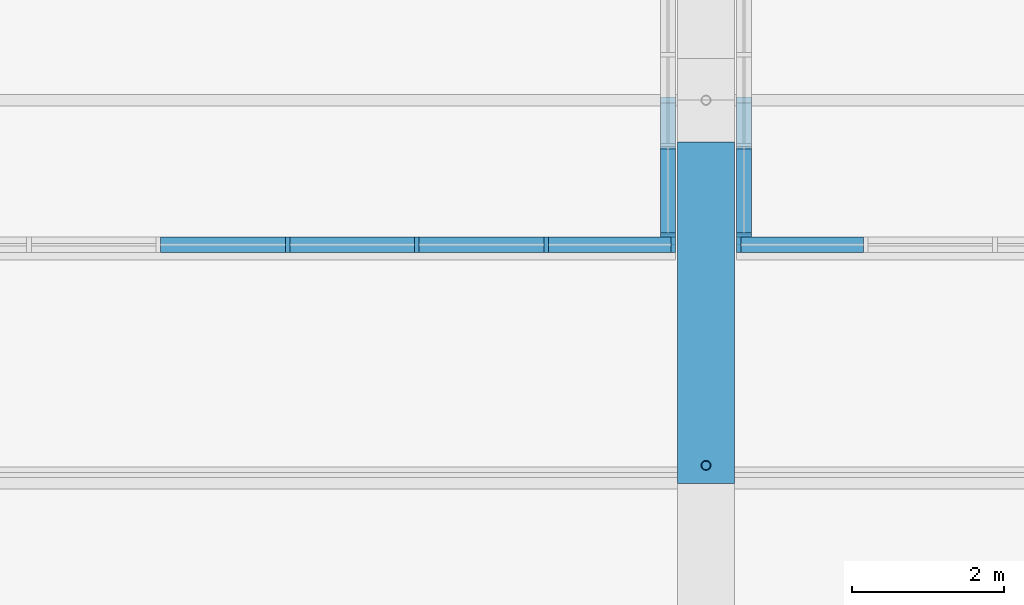
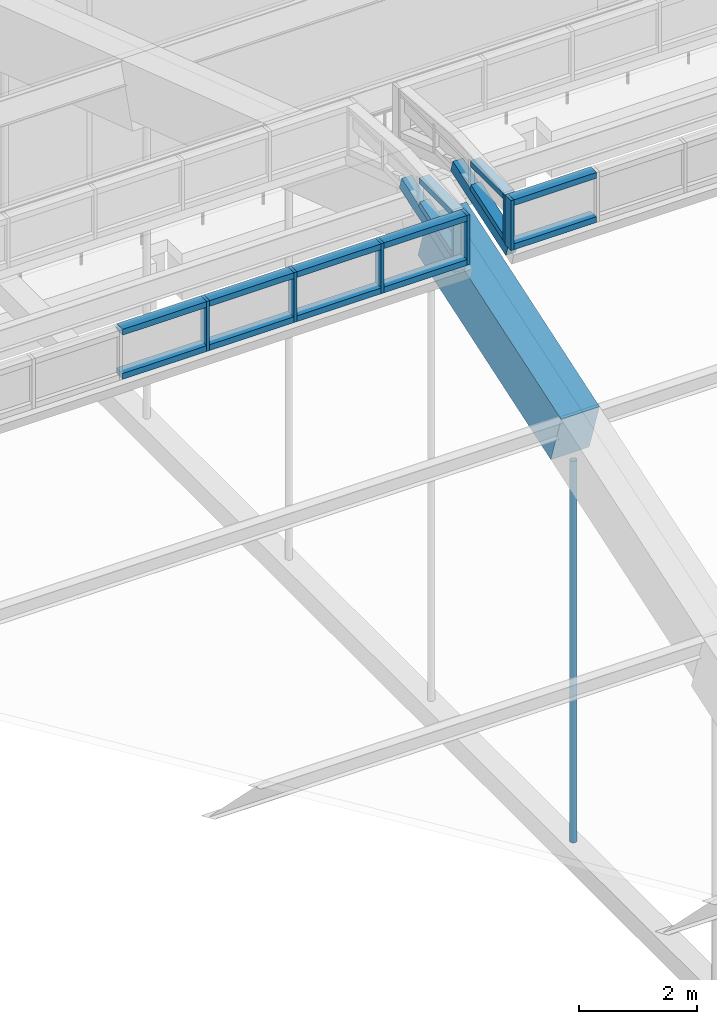
# One storey, part 57 of 149: 24 members, 1 beam, 4 elements without a shape of their own.
"""IFC4 building model written with IfcOpenShell, lengths in metres."""

from ifc_helpers import new_model, si_unit, direction, frame, origin, origin_2d, place, context, subcontext, project, spatial, rectangle, hollow_circle, extrude, material, material_profile, profile_set, type_object, element, aggregate, save


model = new_model("IFC4")

# Units and contexts
model_context = context("Model", 3, precision=1e-05, world=origin(), true_north=direction((0.0, 1.0)))
body_context = subcontext(model_context, "Body", "Model", "MODEL_VIEW")
ifc_project = project(units=[si_unit("LENGTHUNIT", "METRE"), si_unit("AREAUNIT", "SQUARE_METRE"), si_unit("VOLUMEUNIT", "CUBIC_METRE"), si_unit("PLANEANGLEUNIT", "RADIAN"), si_unit("MASSUNIT", "GRAM", prefix="KILO")], contexts=[model_context])

# Site, building, storey
site_placement = place(None, origin())
site = spatial("IfcSite", under=ifc_project, at=site_placement, CompositionType="ELEMENT")
building_placement = place(site_placement, origin())
building = spatial("IfcBuilding", under=site, at=building_placement, Name="Alderwick Market Hall", CompositionType="ELEMENT")
storey_placement = place(building_placement, frame((0.0, 0.0, 9.60009765625)))
storey = spatial("IfcBuildingStorey", under=building, at=storey_placement, Name="L01", CompositionType="ELEMENT", Elevation=9.60009765625)

# Beam
ifc_material_1 = material(Name="Concrete 5000 psi (f'c 35 MPa)", Category="concrete")
ifc_material_profile_1 = material_profile(ifc_material_1, rectangle(XDim=0.75, YDim=1.10009765625, at=origin_2d()), Name="RC 750x1100")
ifc_profile_set_1 = profile_set([ifc_material_profile_1], Name="Concrete 5000 psi (f'c 35 MPa)")
beam_type = type_object("IfcBeamType", Name="R Arch Rib Crown 750x1100", PredefinedType="BEAM", material=ifc_profile_set_1)
beam_placement = place(storey_placement, frame((108.0, 74.336669921875, 14.78955078125), z_axis=(0.0, 0.948678138981, 0.316243242806), x_axis=(-1.0, 0.0, 0.0)))
element("IfcBeam", 1, at=beam_placement, inside=storey, type_object=beam_type, Name="Arch rib 5 chord 6", PredefinedType="BEAM", context=body_context, shape_type="SweptSolid", body=[
    extrude(rectangle(XDim=0.75, YDim=1.10009765625, at=origin_2d()), origin(), (0.0, 0.0, 1.0), 4.732421875),
])

# Curtain wall, members
ifc_material_2 = material(Name="Aluminium", Category="aluminium")
curtain_wall_type = type_object("IfcCurtainWallType", Name="R Curtain Wall Frame", PredefinedType="NOTDEFINED", material=ifc_material_2)
curtain_wall_1_placement = place(storey_placement, origin())
curtain_wall_1 = element("IfcCurtainWall", 2, at=curtain_wall_1_placement, inside=storey, type_object=curtain_wall_type, Name="Curtain wall LCW S4", PredefinedType="NOTDEFINED")
ifc_material_profile_2 = material_profile(ifc_material_2, rectangle(XDim=0.199951171875, YDim=0.06005859375, at=origin_2d()), Name="AL 60x200")
ifc_profile_set_2 = profile_set([ifc_material_profile_2], Name="Aluminium")
member_type_1 = type_object("IfcMemberType", Name="R CW Mullion 60x200", PredefinedType="MULLION", material=ifc_profile_set_2)
member_1_placement = place(storey_placement, frame((102.5, 77.300048828125, 16.670166015625), z_axis=(0.0, 0.0, 1.0), x_axis=(0.0, 1.0, 0.0)))
member_1 = element("IfcMember", 3, at=member_1_placement, type_object=member_type_1, Name="LCW S4 mullion 6", PredefinedType="MULLION", context=body_context, shape_type="SweptSolid", body=[
    extrude(rectangle(XDim=0.199951171875, YDim=0.06005859375, at=origin_2d()), origin(), (0.0, 0.0, 1.0), 1.02978515625),
])
member_2_placement = place(storey_placement, frame((104.199951171875, 77.300048828125, 16.670166015625), z_axis=(0.0, 0.0, 1.0), x_axis=(0.0, 1.0, 0.0)))
member_2 = element("IfcMember", 4, at=member_2_placement, type_object=member_type_1, Name="LCW S4 mullion 7", PredefinedType="MULLION", context=body_context, shape_type="SweptSolid", body=[
    extrude(rectangle(XDim=0.199951171875, YDim=0.06005859375, at=origin_2d()), origin(), (0.0, 0.0, 1.0), 1.02978515625),
])
member_3_placement = place(storey_placement, frame((105.89990234375, 77.300048828125, 16.670166015625), z_axis=(0.0, 0.0, 1.0), x_axis=(0.0, 1.0, 0.0)))
member_3 = element("IfcMember", 5, at=member_3_placement, type_object=member_type_1, Name="LCW S4 mullion 8", PredefinedType="MULLION", context=body_context, shape_type="SweptSolid", body=[
    extrude(rectangle(XDim=0.199951171875, YDim=0.06005859375, at=origin_2d()), origin(), (0.0, 0.0, 1.0), 1.02978515625),
])
member_4_placement = place(storey_placement, frame((107.570068359375, 77.300048828125, 16.670166015625), z_axis=(0.0, 0.0, 1.0), x_axis=(0.0, 1.0, 0.0)))
member_4 = element("IfcMember", 6, at=member_4_placement, type_object=member_type_1, Name="LCW S4 mullion 9", PredefinedType="MULLION", context=body_context, shape_type="SweptSolid", body=[
    extrude(rectangle(XDim=0.199951171875, YDim=0.06005859375, at=origin_2d()), origin(), (0.0, 0.0, 1.0), 1.02978515625),
])

# Curtain wall, member
curtain_wall_2_placement = place(storey_placement, origin())
curtain_wall_2 = element("IfcCurtainWall", 7, at=curtain_wall_2_placement, inside=storey, type_object=curtain_wall_type, Name="Curtain wall LCW E4", PredefinedType="NOTDEFINED")
member_5_placement = place(storey_placement, frame((107.5, 77.429931640625, 16.713623046875), z_axis=(0.0, 0.0, 1.0), x_axis=(1.0, 0.0, 0.0)))
member_5 = element("IfcMember", 8, at=member_5_placement, type_object=member_type_1, Name="LCW E4 mullion 1", PredefinedType="MULLION", context=body_context, shape_type="SweptSolid", body=[
    extrude(rectangle(XDim=0.199951171875, YDim=0.06005859375, at=origin_2d()), origin(), (0.0, 0.0, 1.0), 0.986328125),
])

curtain_wall_3_placement = place(storey_placement, origin())
curtain_wall_3 = element("IfcCurtainWall", 9, at=curtain_wall_3_placement, inside=storey, type_object=curtain_wall_type, Name="Curtain wall LCW S5", PredefinedType="NOTDEFINED")
member_6_placement = place(storey_placement, frame((108.429931640625, 77.300048828125, 16.670166015625), z_axis=(0.0, 0.0, 1.0), x_axis=(0.0, 1.0, 0.0)))
member_6 = element("IfcMember", 10, at=member_6_placement, type_object=member_type_1, Name="LCW S5 mullion 1", PredefinedType="MULLION", context=body_context, shape_type="SweptSolid", body=[
    extrude(rectangle(XDim=0.199951171875, YDim=0.06005859375, at=origin_2d()), origin(), (0.0, 0.0, 1.0), 1.02978515625),
])

curtain_wall_4_placement = place(storey_placement, origin())
curtain_wall_4 = element("IfcCurtainWall", 11, at=curtain_wall_4_placement, inside=storey, type_object=curtain_wall_type, Name="Curtain wall LCW W5", PredefinedType="NOTDEFINED")
member_7_placement = place(storey_placement, frame((108.5, 77.429931640625, 16.713623046875), z_axis=(0.0, 0.0, 1.0), x_axis=(1.0, 0.0, 0.0)))
member_7 = element("IfcMember", 12, at=member_7_placement, type_object=member_type_1, Name="LCW W5 mullion 1", PredefinedType="MULLION", context=body_context, shape_type="SweptSolid", body=[
    extrude(rectangle(XDim=0.199951171875, YDim=0.06005859375, at=origin_2d()), origin(), (0.0, 0.0, 1.0), 0.986328125),
])

# Member
ifc_material_profile_3 = material_profile(ifc_material_2, rectangle(XDim=0.199951171875, YDim=0.1201171875, at=origin_2d()), Name="AL 120x200")
ifc_profile_set_3 = profile_set([ifc_material_profile_3], Name="Aluminium")
member_type_2 = type_object("IfcMemberType", Name="R CW Transom 120x200", PredefinedType="USERDEFINED", material=ifc_profile_set_3)
member_8_placement = place(storey_placement, frame((100.830078125, 77.300048828125, 16.730224609375), z_axis=(1.0, 0.0, 0.0), x_axis=(0.0, 1.0, 0.0)))
member_8 = element("IfcMember", 13, at=member_8_placement, type_object=member_type_2, Name="LCW S4 sill transom 5", ObjectType="TRANSOM", PredefinedType="USERDEFINED", context=body_context, shape_type="SweptSolid", body=[
    extrude(rectangle(XDim=0.199951171875, YDim=0.1201171875, at=origin_2d()), origin(), (0.0, 0.0, 1.0), 1.639892578125),
])

member_9_placement = place(storey_placement, frame((100.830078125, 77.300048828125, 17.639892578125), z_axis=(1.0, 0.0, 0.0), x_axis=(0.0, 1.0, 0.0)))
member_9 = element("IfcMember", 14, at=member_9_placement, type_object=member_type_2, Name="LCW S4 head transom 5", ObjectType="TRANSOM", PredefinedType="USERDEFINED", context=body_context, shape_type="SweptSolid", body=[
    extrude(rectangle(XDim=0.199951171875, YDim=0.1201171875, at=origin_2d()), origin(), (0.0, 0.0, 1.0), 1.639892578125),
])

member_10_placement = place(storey_placement, frame((102.530029296875, 77.300048828125, 16.730224609375), z_axis=(1.0, 0.0, 0.0), x_axis=(0.0, 1.0, 0.0)))
member_10 = element("IfcMember", 15, at=member_10_placement, type_object=member_type_2, Name="LCW S4 sill transom 6", ObjectType="TRANSOM", PredefinedType="USERDEFINED", context=body_context, shape_type="SweptSolid", body=[
    extrude(rectangle(XDim=0.199951171875, YDim=0.1201171875, at=origin_2d()), origin(), (0.0, 0.0, 1.0), 1.639892578125),
])

member_11_placement = place(storey_placement, frame((102.530029296875, 77.300048828125, 17.639892578125), z_axis=(1.0, 0.0, 0.0), x_axis=(0.0, 1.0, 0.0)))
member_11 = element("IfcMember", 16, at=member_11_placement, type_object=member_type_2, Name="LCW S4 head transom 6", ObjectType="TRANSOM", PredefinedType="USERDEFINED", context=body_context, shape_type="SweptSolid", body=[
    extrude(rectangle(XDim=0.199951171875, YDim=0.1201171875, at=origin_2d()), origin(), (0.0, 0.0, 1.0), 1.639892578125),
])

member_12_placement = place(storey_placement, frame((104.22998046875, 77.300048828125, 16.730224609375), z_axis=(1.0, 0.0, 0.0), x_axis=(0.0, 1.0, 0.0)))
member_12 = element("IfcMember", 17, at=member_12_placement, type_object=member_type_2, Name="LCW S4 sill transom 7", ObjectType="TRANSOM", PredefinedType="USERDEFINED", context=body_context, shape_type="SweptSolid", body=[
    extrude(rectangle(XDim=0.199951171875, YDim=0.1201171875, at=origin_2d()), origin(), (0.0, 0.0, 1.0), 1.64013671875),
])

member_13_placement = place(storey_placement, frame((104.22998046875, 77.300048828125, 17.639892578125), z_axis=(1.0, 0.0, 0.0), x_axis=(0.0, 1.0, 0.0)))
member_13 = element("IfcMember", 18, at=member_13_placement, type_object=member_type_2, Name="LCW S4 head transom 7", ObjectType="TRANSOM", PredefinedType="USERDEFINED", context=body_context, shape_type="SweptSolid", body=[
    extrude(rectangle(XDim=0.199951171875, YDim=0.1201171875, at=origin_2d()), origin(), (0.0, 0.0, 1.0), 1.64013671875),
])

member_14_placement = place(storey_placement, frame((105.929931640625, 77.300048828125, 16.730224609375), z_axis=(1.0, 0.0, 0.0), x_axis=(0.0, 1.0, 0.0)))
member_14 = element("IfcMember", 19, at=member_14_placement, type_object=member_type_2, Name="LCW S4 sill transom 8", ObjectType="TRANSOM", PredefinedType="USERDEFINED", context=body_context, shape_type="SweptSolid", body=[
    extrude(rectangle(XDim=0.199951171875, YDim=0.1201171875, at=origin_2d()), origin(), (0.0, 0.0, 1.0), 1.610107421875),
])

member_15_placement = place(storey_placement, frame((105.929931640625, 77.300048828125, 17.639892578125), z_axis=(1.0, 0.0, 0.0), x_axis=(0.0, 1.0, 0.0)))
member_15 = element("IfcMember", 20, at=member_15_placement, type_object=member_type_2, Name="LCW S4 head transom 8", ObjectType="TRANSOM", PredefinedType="USERDEFINED", context=body_context, shape_type="SweptSolid", body=[
    extrude(rectangle(XDim=0.199951171875, YDim=0.1201171875, at=origin_2d()), origin(), (0.0, 0.0, 1.0), 1.610107421875),
])

aggregate(curtain_wall_1, [member_1, member_2, member_3, member_4, member_8, member_9, member_10, member_11, member_12, member_13, member_14, member_15])

member_16_placement = place(storey_placement, frame((107.5, 77.4599609375, 16.783447265625), z_axis=(0.0, 0.948662432506, 0.316290355768), x_axis=(-1.0, 0.0, 0.0)))
member_16 = element("IfcMember", 21, at=member_16_placement, type_object=member_type_2, Name="LCW E4 sill transom 1", ObjectType="TRANSOM", PredefinedType="USERDEFINED", context=body_context, shape_type="SweptSolid", body=[
    extrude(rectangle(XDim=0.199951171875, YDim=0.1201171875, at=origin_2d()), origin(), (0.0, 0.0, 1.0), 1.170166015625),
])

member_17_placement = place(storey_placement, frame((107.5, 77.4599609375, 17.639892578125), z_axis=(0.0, 1.0, 0.0), x_axis=(-1.0, 0.0, 0.0)))
member_17 = element("IfcMember", 22, at=member_17_placement, type_object=member_type_2, Name="LCW E4 head transom 1", ObjectType="TRANSOM", PredefinedType="USERDEFINED", context=body_context, shape_type="SweptSolid", body=[
    extrude(rectangle(XDim=0.199951171875, YDim=0.1201171875, at=origin_2d()), origin(), (0.0, 0.0, 1.0), 1.110107421875),
])

member_18_placement = place(storey_placement, frame((108.4599609375, 77.300048828125, 16.730224609375), z_axis=(1.0, 0.0, 0.0), x_axis=(0.0, 1.0, 0.0)))
member_18 = element("IfcMember", 23, at=member_18_placement, type_object=member_type_2, Name="LCW S5 sill transom 1", ObjectType="TRANSOM", PredefinedType="USERDEFINED", context=body_context, shape_type="SweptSolid", body=[
    extrude(rectangle(XDim=0.199951171875, YDim=0.1201171875, at=origin_2d()), origin(), (0.0, 0.0, 1.0), 1.610107421875),
])

member_19_placement = place(storey_placement, frame((108.4599609375, 77.300048828125, 17.639892578125), z_axis=(1.0, 0.0, 0.0), x_axis=(0.0, 1.0, 0.0)))
member_19 = element("IfcMember", 24, at=member_19_placement, type_object=member_type_2, Name="LCW S5 head transom 1", ObjectType="TRANSOM", PredefinedType="USERDEFINED", context=body_context, shape_type="SweptSolid", body=[
    extrude(rectangle(XDim=0.199951171875, YDim=0.1201171875, at=origin_2d()), origin(), (0.0, 0.0, 1.0), 1.610107421875),
])

aggregate(curtain_wall_3, [member_6, member_18, member_19])

member_20_placement = place(storey_placement, frame((108.5, 77.4599609375, 16.783447265625), z_axis=(0.0, 0.948662432506, 0.316290355768), x_axis=(-1.0, 0.0, 0.0)))
member_20 = element("IfcMember", 25, at=member_20_placement, type_object=member_type_2, Name="LCW W5 sill transom 1", ObjectType="TRANSOM", PredefinedType="USERDEFINED", context=body_context, shape_type="SweptSolid", body=[
    extrude(rectangle(XDim=0.199951171875, YDim=0.1201171875, at=origin_2d()), origin(), (0.0, 0.0, 1.0), 1.170166015625),
])

member_21_placement = place(storey_placement, frame((108.5, 77.4599609375, 17.639892578125), z_axis=(0.0, 1.0, 0.0), x_axis=(-1.0, 0.0, 0.0)))
member_21 = element("IfcMember", 26, at=member_21_placement, type_object=member_type_2, Name="LCW W5 head transom 1", ObjectType="TRANSOM", PredefinedType="USERDEFINED", context=body_context, shape_type="SweptSolid", body=[
    extrude(rectangle(XDim=0.199951171875, YDim=0.1201171875, at=origin_2d()), origin(), (0.0, 0.0, 1.0), 1.110107421875),
])

ifc_material_3 = material(Name="Steel ASTM A500 Grade C", Category="steel")
ifc_material_profile_4 = material_profile(ifc_material_3, hollow_circle(Radius=0.0634765625, WallThickness=0.005859375, at=origin_2d()), Name="HSS5.000x0.250")
ifc_profile_set_4 = profile_set([ifc_material_profile_4], Name="Steel ASTM A500 Grade C")
member_type_3 = type_object("IfcMemberType", Name="R Hanger HSS5.000x0.250", PredefinedType="POST", material=ifc_profile_set_4)
member_22_placement = place(storey_placement, frame((108.0, 74.39990234375, 6.35302734375), z_axis=(0.0, 0.0, 1.0), x_axis=(1.0, 0.0, 0.0)))
element("IfcMember", 27, at=member_22_placement, inside=storey, type_object=member_type_3, Name="Arch hanger 5.5", PredefinedType="POST", context=body_context, shape_type="SweptSolid", body=[
    extrude(hollow_circle(Radius=0.0634765625, WallThickness=0.005859375, at=origin_2d()), origin(), (0.0, 0.0, 1.0), 7.856689453125),
])

ifc_material_4 = material(Name="Steel ASTM A572 Grade 50", Category="steel")
ifc_material_profile_5 = material_profile(ifc_material_4, rectangle(XDim=0.199951171875, YDim=0.25, at=origin_2d()), Name="Steel plate curb 200x250")
ifc_profile_set_5 = profile_set([ifc_material_profile_5], Name="Steel ASTM A572 Grade 50")
member_type_4 = type_object("IfcMemberType", Name="R Lantern Curb 200x250", PredefinedType="MEMBER", material=ifc_profile_set_5)
member_23_placement = place(storey_placement, frame((107.5, 77.335205078125, 16.5849609375), z_axis=(0.0, 0.948683298051, 0.316227766017), x_axis=(-1.0, 0.0, 0.0)))
member_23 = element("IfcMember", 28, at=member_23_placement, type_object=member_type_4, Name="Lantern end curb E4.1", PredefinedType="MEMBER", context=body_context, shape_type="SweptSolid", body=[
    extrude(rectangle(XDim=0.199951171875, YDim=0.25, at=origin_2d()), origin(), (0.0, 0.0, 1.0), 1.965576171875),
])

aggregate(curtain_wall_2, [member_5, member_16, member_17, member_23])

member_24_placement = place(storey_placement, frame((108.5, 77.335205078125, 16.5849609375), z_axis=(0.0, 0.948683298051, 0.316227766017), x_axis=(-1.0, 0.0, 0.0)))
member_24 = element("IfcMember", 29, at=member_24_placement, type_object=member_type_4, Name="Lantern end curb W5.1", PredefinedType="MEMBER", context=body_context, shape_type="SweptSolid", body=[
    extrude(rectangle(XDim=0.199951171875, YDim=0.25, at=origin_2d()), origin(), (0.0, 0.0, 1.0), 1.965576171875),
])

aggregate(curtain_wall_4, [member_7, member_20, member_21, member_24])

save(model, "model.ifc")
